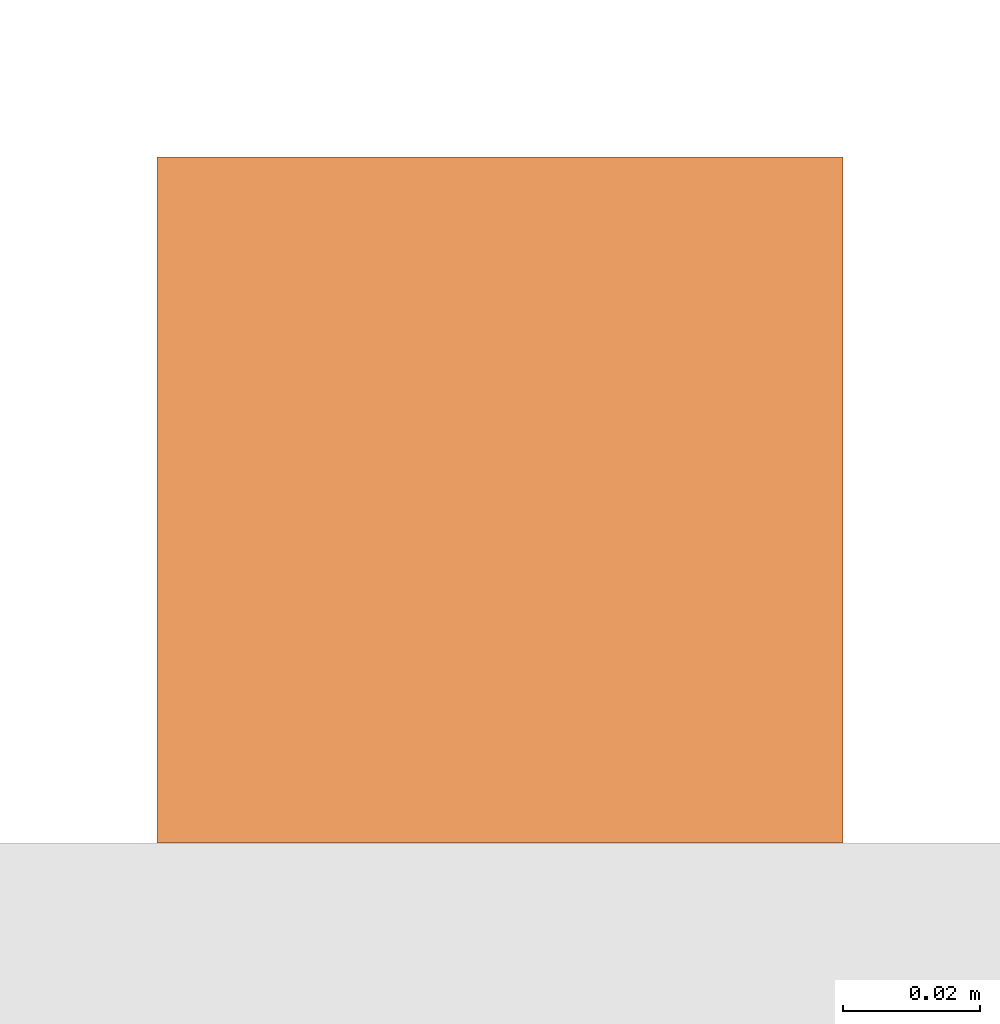
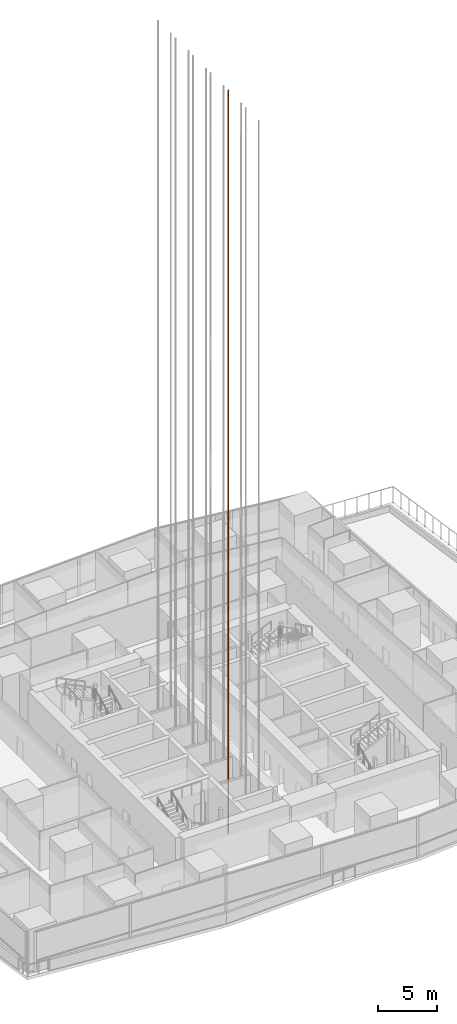
# One storey, part 31 of 39: 1 proxy.
"""IFC4 building model written with IfcOpenShell, lengths in metres."""

from ifc_helpers import new_model, si_unit, direction, frame, origin, origin_2d, place, context, subcontext, project, spatial, rectangle, extrude, material, type_object, element, save


model = new_model("IFC4")

# Units and contexts
model_context = context("Model", 3, precision=1e-05, world=origin(), true_north=direction((0.0, 1.0)))
body_context = subcontext(model_context, "Body", "Model", "MODEL_VIEW")
ifc_project = project(units=[si_unit("LENGTHUNIT", "METRE"), si_unit("AREAUNIT", "SQUARE_METRE"), si_unit("VOLUMEUNIT", "CUBIC_METRE"), si_unit("PLANEANGLEUNIT", "RADIAN"), si_unit("MASSUNIT", "GRAM", prefix="KILO")], contexts=[model_context])

# Site, building, storey
site_placement = place(None, origin())
site = spatial("IfcSite", under=ifc_project, at=site_placement, CompositionType="ELEMENT")
building_placement = place(site_placement, origin())
building = spatial("IfcBuilding", under=site, at=building_placement, Name="Rekha Terrace Tower", CompositionType="ELEMENT")
storey_placement = place(building_placement, frame((0.0, 0.0, 168.199951171875)))
storey = spatial("IfcBuildingStorey", under=building, at=storey_placement, Name="L42", CompositionType="ELEMENT", Elevation=168.199951171875)

# Proxy
ifc_material = material(Name="Steel guide rail", Category="steel")
building_element_proxy_type = type_object("IfcBuildingElementProxyType", Name="LR1 100 lift guide rail", PredefinedType="ELEMENT", material=ifc_material)
proxy_placement = place(storey_placement, frame((34.5, 29.0, -3.2998046875), z_axis=(0.0, 0.0, 1.0), x_axis=(1.0, 0.0, 0.0)))
element("IfcBuildingElementProxy", 1, at=proxy_placement, inside=storey, type_object=building_element_proxy_type, Name="Lift C2 guide rail 2", PredefinedType="ELEMENT", context=body_context, shape_type="SweptSolid", body=[
    extrude(rectangle(XDim=0.10009765625, YDim=0.10009765625, at=origin_2d()), origin(), (0.0, 0.0, 1.0), 77.39990234375),
])

save(model, "model.ifc")
